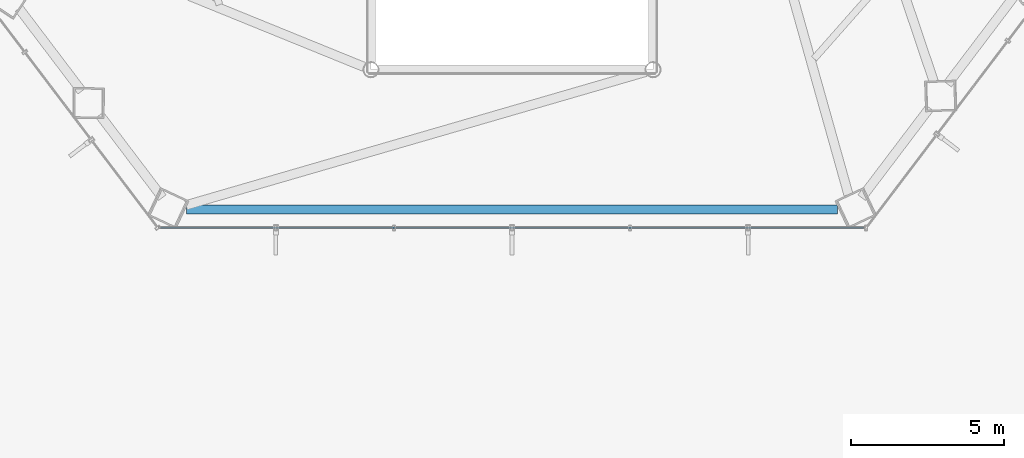
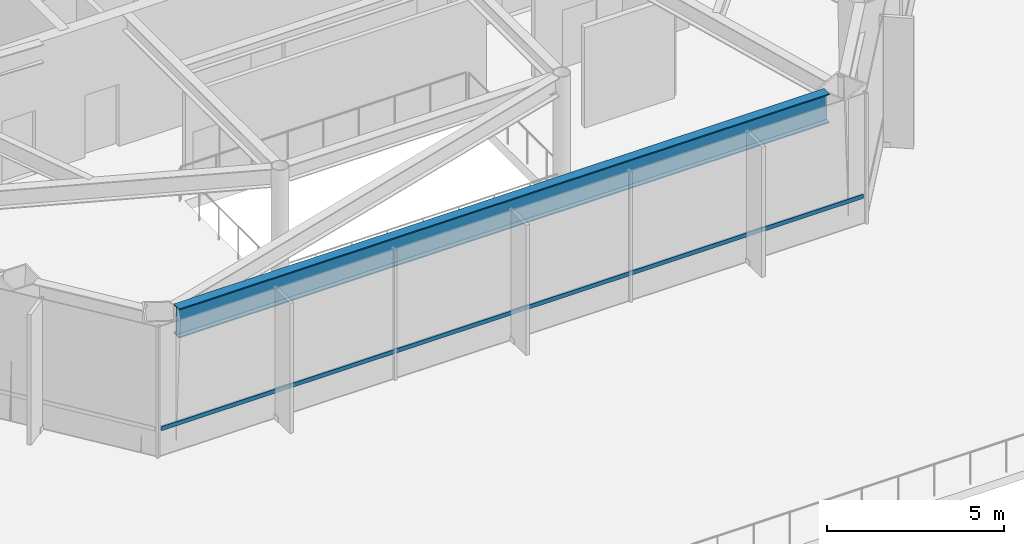
# One storey, part 7 of 30: 1 beam, 1 member, 1 element without a shape of its own.
"""IFC4 building model written with IfcOpenShell, lengths in metres."""

from ifc_helpers import new_model, si_unit, direction, frame, origin, origin_2d, place, context, subcontext, project, spatial, hollow_rectangle, i_section, extrude, material, layer, layer_set, material_profile, profile_set, type_object, element, aggregate, save


model = new_model("IFC4")

# Units and contexts
model_context = context("Model", 3, precision=1e-05, world=origin(), true_north=direction((0.0, 1.0)))
body_context = subcontext(model_context, "Body", "Model", "MODEL_VIEW")
ifc_project = project(units=[si_unit("LENGTHUNIT", "METRE"), si_unit("AREAUNIT", "SQUARE_METRE"), si_unit("VOLUMEUNIT", "CUBIC_METRE"), si_unit("PLANEANGLEUNIT", "RADIAN"), si_unit("MASSUNIT", "GRAM", prefix="KILO")], contexts=[model_context])

# Site, building, storey
site_placement = place(None, origin())
site = spatial("IfcSite", under=ifc_project, at=site_placement, CompositionType="ELEMENT")
building_placement = place(site_placement, origin())
building = spatial("IfcBuilding", under=site, at=building_placement, Name="Zarrinselat Tower", CompositionType="ELEMENT")
storey_placement = place(building_placement, frame((0.0, 0.0, 22.780029296875)))
storey = spatial("IfcBuildingStorey", under=building, at=storey_placement, Name="L05", CompositionType="ELEMENT", Elevation=22.780029296875)

# Beam
ifc_material_1 = material(Name="Steel S460M", Category="steel")
ifc_material_profile_1 = material_profile(ifc_material_1, i_section(OverallWidth=0.302001953125, OverallDepth=1.008056640625, WebThickness=0.02099609375, FlangeThickness=0.0400390625, at=origin_2d()), Name="HEM 1000")
ifc_profile_set_1 = profile_set([ifc_material_profile_1], Name="Steel S460M")
beam_type = type_object("IfcBeamType", Name="BM-HEM1000", PredefinedType="BEAM", material=ifc_profile_set_1)
beam_placement = place(storey_placement, frame((27.77978515625, 19.84033203125, 3.995849609375), z_axis=(1.0, 0.0, 0.0), x_axis=(0.0, 1.0, 0.0)))
element("IfcBeam", 1, at=beam_placement, inside=storey, type_object=beam_type, Name="L05 Perimeter Spandrel Girder SP10", PredefinedType="BEAM", context=body_context, shape_type="SweptSolid", body=[
    extrude(i_section(OverallWidth=0.302001953125, OverallDepth=1.008056640625, WebThickness=0.02099609375, FlangeThickness=0.0400390625, at=origin_2d()), origin(), (0.0, 0.0, 1.0), 21.240478515625),
])

# Curtain wall, member
ifc_material_2 = material(Name="Extruded Aluminium Alloy EN AW-6063 T6", Category="aluminium")
ifc_layer = layer(ifc_material_2, 0.195068359375)
ifc_layer_set = layer_set([ifc_layer], Name="Extruded Aluminium Alloy EN AW-6063 T6")
curtain_wall_type = type_object("IfcCurtainWallType", Name="CWS-GDN", PredefinedType="NOTDEFINED", material=ifc_layer_set)
curtain_wall_placement = place(storey_placement, origin())
curtain_wall = element("IfcCurtainWall", 2, at=curtain_wall_placement, inside=storey, type_object=curtain_wall_type, Name="L05 Unitised Curtain Wall CW-L05-E04", PredefinedType="NOTDEFINED")
ifc_material_3 = material(Name="Extruded Aluminium Alloy EN AW-6063 T6", Category="aluminium")
ifc_material_profile_2 = material_profile(ifc_material_3, hollow_rectangle(XDim=0.06005859375, YDim=0.139892578125, WallThickness=0.00390625, at=origin_2d()), Name="RHS 140x60x4")
ifc_profile_set_2 = profile_set([ifc_material_profile_2], Name="Extruded Aluminium Alloy EN AW-6063 T6")
member_type = type_object("IfcMemberType", Name="MEM-CW-TRN", PredefinedType="USERDEFINED", material=ifc_profile_set_2)
member_placement = place(storey_placement, frame((26.93994140625, 19.24609375, 0.949951171875), z_axis=(1.0, 0.0, 0.0), x_axis=(0.0, 1.0, 0.0)))
member = element("IfcMember", 3, at=member_placement, type_object=member_type, Name="CW-L05-E04 Transom 1", ObjectType="TRANSOM", PredefinedType="USERDEFINED", context=body_context, shape_type="SweptSolid", body=[
    extrude(hollow_rectangle(XDim=0.06005859375, YDim=0.139892578125, WallThickness=0.00390625, at=origin_2d()), origin(), (0.0, 0.0, 1.0), 22.920166015625),
])
aggregate(curtain_wall, [member])

save(model, "model.ifc")
